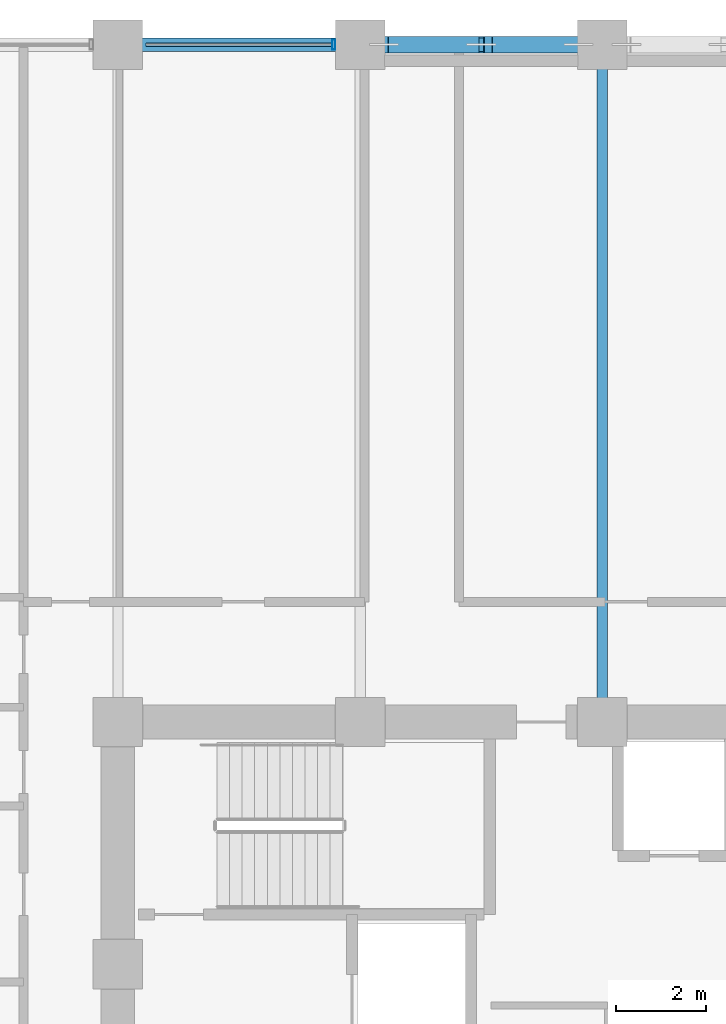
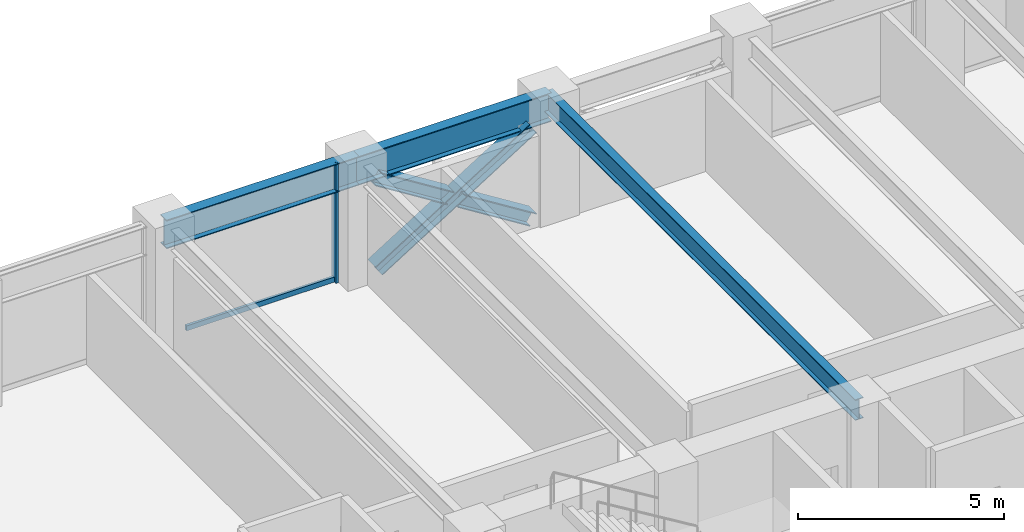
# One storey, part 13 of 24: 5 members, 3 beams, 1 element without a shape of its own.
"""IFC4 building model written with IfcOpenShell, lengths in metres."""

from ifc_helpers import new_model, si_unit, direction, frame, origin, origin_2d, place, context, subcontext, project, spatial, hollow_rectangle, i_section, extrude, material, layer, layer_set, material_profile, profile_set, type_object, element, aggregate, save


model = new_model("IFC4")

# Units and contexts
model_context = context("Model", 3, precision=1e-05, world=origin(), true_north=direction((0.0, 1.0)))
body_context = subcontext(model_context, "Body", "Model", "MODEL_VIEW")
ifc_project = project(units=[si_unit("LENGTHUNIT", "METRE"), si_unit("AREAUNIT", "SQUARE_METRE"), si_unit("VOLUMEUNIT", "CUBIC_METRE"), si_unit("PLANEANGLEUNIT", "RADIAN"), si_unit("MASSUNIT", "GRAM", prefix="KILO")], contexts=[model_context])

# Site, building, storey
site_placement = place(None, origin())
site = spatial("IfcSite", under=ifc_project, at=site_placement, CompositionType="ELEMENT")
building_placement = place(site_placement, origin())
building = spatial("IfcBuilding", under=site, at=building_placement, Name="Surkhivell Harbour Commons", CompositionType="ELEMENT")
storey_placement = place(building_placement, frame((0.0, 0.0, 105.75)))
storey = spatial("IfcBuildingStorey", under=building, at=storey_placement, Name="L27", CompositionType="ELEMENT", Elevation=105.75)

# Beams
ifc_material_1 = material(Name="Steel S355", Category="steel")
ifc_material_profile_1 = material_profile(ifc_material_1, i_section(OverallWidth=0.22998046875, OverallDepth=0.616943359375, WebThickness=0.01318359375, FlangeThickness=0.022216796875, at=origin_2d()), Name="UB610x229x140")
ifc_profile_set_1 = profile_set([ifc_material_profile_1], Name="Steel S355")
beam_type_1 = type_object("IfcBeamType", Name="BM-GRD-610B", PredefinedType="BEAM", material=ifc_profile_set_1)
beam_1_placement = place(storey_placement, frame((0.0, 10.800048828125, 3.261474609375), z_axis=(0.0, 1.0, 0.0), x_axis=(-1.0, 0.0, 0.0)))
element("IfcBeam", 1, at=beam_1_placement, inside=storey, type_object=beam_type_1, Name="L27 Floor Girder (0.0,10.8)", PredefinedType="BEAM", context=body_context, shape_type="SweptSolid", body=[
    extrude(i_section(OverallWidth=0.22998046875, OverallDepth=0.616943359375, WebThickness=0.01318359375, FlangeThickness=0.022216796875, at=origin_2d()), origin(), (0.0, 0.0, 1.0), 15.099853515625),
])
ifc_material_2 = material(Name="Steel S460", Category="steel")
ifc_material_profile_2 = material_profile(ifc_material_2, i_section(OverallWidth=0.2939453125, OverallDepth=0.85107421875, WebThickness=0.01611328125, FlangeThickness=0.02685546875, at=origin_2d()), Name="UB838x292x226")
ifc_profile_set_2 = profile_set([ifc_material_profile_2], Name="Steel S460")
beam_type_2 = type_object("IfcBeamType", Name="BM-SPN-838", PredefinedType="SPANDREL", material=ifc_profile_set_2)
beam_2_placement = place(storey_placement, frame((-10.800048828125, 25.89990234375, 3.14453125), z_axis=(1.0, 0.0, 0.0), x_axis=(0.0, 1.0, 0.0)))
element("IfcBeam", 2, at=beam_2_placement, inside=storey, type_object=beam_type_2, Name="L27 Tube Spandrel (-10.8,25.9)", PredefinedType="SPANDREL", context=body_context, shape_type="SweptSolid", body=[
    extrude(i_section(OverallWidth=0.2939453125, OverallDepth=0.85107421875, WebThickness=0.01611328125, FlangeThickness=0.02685546875, at=origin_2d()), origin(), (0.0, 0.0, 1.0), 5.400146484375),
])
beam_3_placement = place(storey_placement, frame((-5.39990234375, 25.89990234375, 3.14453125), z_axis=(1.0, 0.0, 0.0), x_axis=(0.0, 1.0, 0.0)))
element("IfcBeam", 3, at=beam_3_placement, inside=storey, type_object=beam_type_2, Name="L27 Tube Spandrel (-5.4,25.9)", PredefinedType="SPANDREL", context=body_context, shape_type="SweptSolid", body=[
    extrude(i_section(OverallWidth=0.2939453125, OverallDepth=0.85107421875, WebThickness=0.01611328125, FlangeThickness=0.02685546875, at=origin_2d()), origin(), (0.0, 0.0, 1.0), 5.39990234375),
])

# Curtain wall, members
ifc_material_3 = material(Name="Anodised pale-metal aluminium and insulated glazing", Category="aluminium")
ifc_layer = layer(ifc_material_3, 0.205078125)
ifc_layer_set = layer_set([ifc_layer], Name="Anodised pale-metal aluminium and insulated glazing")
curtain_wall_type = type_object("IfcCurtainWallType", Name="CW-SYS-Z2", PredefinedType="NOTDEFINED", material=ifc_layer_set)
curtain_wall_placement = place(storey_placement, origin())
curtain_wall = element("IfcCurtainWall", 4, at=curtain_wall_placement, inside=storey, type_object=curtain_wall_type, Name="L27 Curtain Wall CW-L27-E07S2", PredefinedType="NOTDEFINED")
ifc_material_4 = material(Name="Anodised pale-metal aluminium alloy 6063-T6", Category="aluminium")
ifc_material_profile_3 = material_profile(ifc_material_4, hollow_rectangle(XDim=0.074951171875, YDim=0.219970703125, WallThickness=0.00390625, at=origin_2d()), Name="ALU-MULL-75x220")
ifc_profile_set_3 = profile_set([ifc_material_profile_3], Name="Anodised pale-metal aluminium alloy 6063-T6")
member_type_1 = type_object("IfcMemberType", Name="CWM-220", PredefinedType="MULLION", material=ifc_profile_set_3)
member_1_placement = place(storey_placement, frame((-5.989501953125, 25.89990234375, 0.0), z_axis=(0.0, 0.0, 1.0), x_axis=(-1.0, 0.0, 0.0)))
member_1 = element("IfcMember", 5, at=member_1_placement, type_object=member_type_1, Name="CW-Z2 mullion 1", PredefinedType="MULLION", context=body_context, shape_type="SweptSolid", body=[
    extrude(hollow_rectangle(XDim=0.074951171875, YDim=0.219970703125, WallThickness=0.00390625, at=origin_2d()), origin(), (0.0, 0.0, 1.0), 3.570068359375),
])
ifc_material_profile_4 = material_profile(ifc_material_4, hollow_rectangle(XDim=0.074951171875, YDim=0.14990234375, WallThickness=0.00341796875, at=origin_2d()), Name="ALU-TRAN-75x150")
ifc_profile_set_4 = profile_set([ifc_material_profile_4], Name="Anodised pale-metal aluminium alloy 6063-T6")
member_type_2 = type_object("IfcMemberType", Name="CWT-150", PredefinedType="USERDEFINED", material=ifc_profile_set_4)
member_2_placement = place(storey_placement, frame((-6.027099609375, 25.89990234375, 0.074951171875), z_axis=(-1.0, 0.0, 0.0), x_axis=(0.0, -1.0, 0.0)))
member_2 = element("IfcMember", 6, at=member_2_placement, type_object=member_type_2, Name="CW-Z2 transom 1.1", ObjectType="TRANSOM", PredefinedType="USERDEFINED", context=body_context, shape_type="SweptSolid", body=[
    extrude(hollow_rectangle(XDim=0.074951171875, YDim=0.14990234375, WallThickness=0.00341796875, at=origin_2d()), origin(), (0.0, 0.0, 1.0), 4.14599609375),
])
aggregate(curtain_wall, [member_1, member_2])

# Members
ifc_material_profile_5 = material_profile(ifc_material_2, i_section(OverallWidth=0.375, OverallDepth=0.375, WebThickness=0.0166015625, FlangeThickness=0.027099609375, at=origin_2d()), Name="UC356x368x202")
ifc_profile_set_5 = profile_set([ifc_material_profile_5], Name="Steel S460")
member_type_3 = type_object("IfcMemberType", Name="MEM-BRC-UC356", PredefinedType="BRACE", material=ifc_profile_set_5)
member_3_placement = place(storey_placement, frame((-4.864990234375, 25.89990234375, 0.008056640625), z_axis=(0.847246015888, 0.0, 0.531200704594), x_axis=(0.0, 1.0, 0.0)))
element("IfcMember", 7, at=member_3_placement, inside=storey, type_object=member_type_3, Name="L27 Perimeter Mega-Brace MB- 01", PredefinedType="BRACE", context=body_context, shape_type="SweptSolid", body=[
    extrude(i_section(OverallWidth=0.375, OverallDepth=0.375, WebThickness=0.0166015625, FlangeThickness=0.027099609375, at=origin_2d()), origin(), (0.0, 0.0, 1.0), 5.11083984375),
])
member_4_placement = place(storey_placement, frame((-0.534912109375, 25.89990234375, 0.008056640625), z_axis=(-0.8472353132, 0.0, 0.531217774615), x_axis=(0.0, -1.0, 0.0)))
element("IfcMember", 8, at=member_4_placement, inside=storey, type_object=member_type_3, Name="L27 Perimeter Mega-Brace MB- 02", PredefinedType="BRACE", context=body_context, shape_type="SweptSolid", body=[
    extrude(i_section(OverallWidth=0.375, OverallDepth=0.375, WebThickness=0.0166015625, FlangeThickness=0.027099609375, at=origin_2d()), origin(), (0.0, 0.0, 1.0), 2.37548828125),
])
member_5_placement = place(storey_placement, frame((-2.8525390625, 25.89990234375, 1.461181640625), z_axis=(-0.84725256761, 0.0, 0.53119025469), x_axis=(0.0, -1.0, 0.0)))
element("IfcMember", 9, at=member_5_placement, inside=storey, type_object=member_type_3, Name="L27 Perimeter Mega-Brace MB- 03", PredefinedType="BRACE", context=body_context, shape_type="SweptSolid", body=[
    extrude(i_section(OverallWidth=0.375, OverallDepth=0.375, WebThickness=0.0166015625, FlangeThickness=0.027099609375, at=origin_2d()), origin(), (0.0, 0.0, 1.0), 2.375244140625),
])

save(model, "model.ifc")
